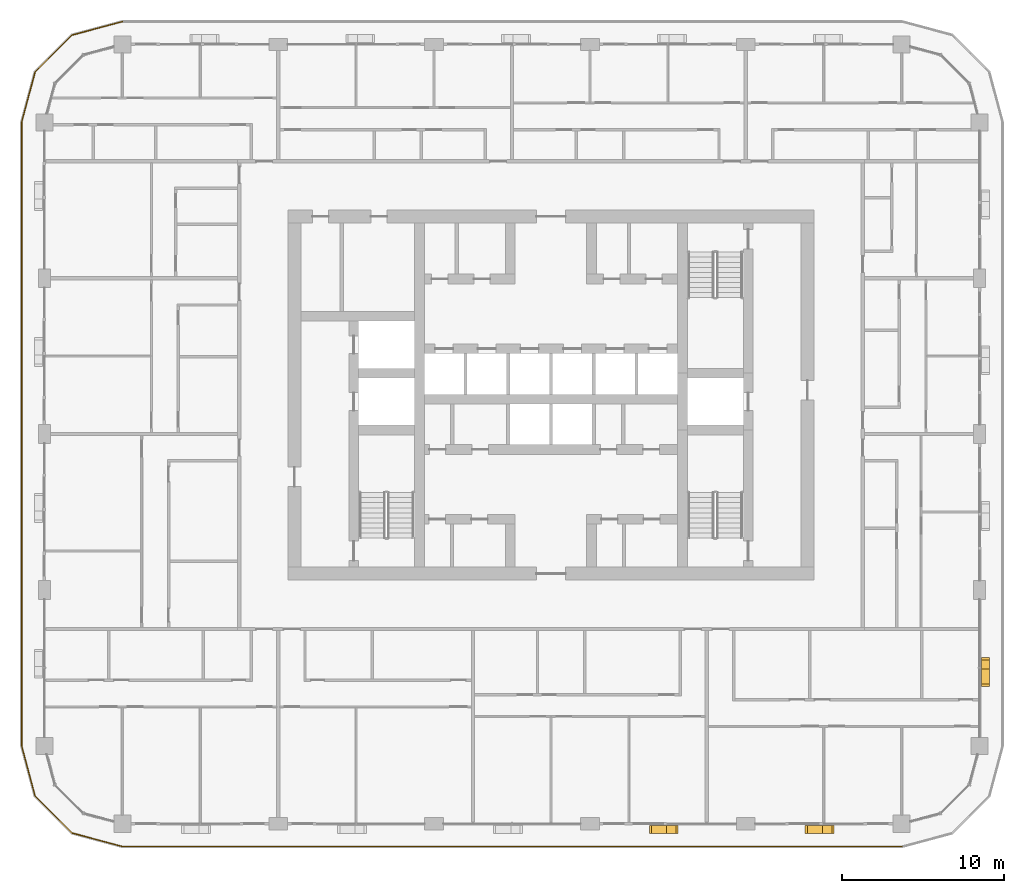
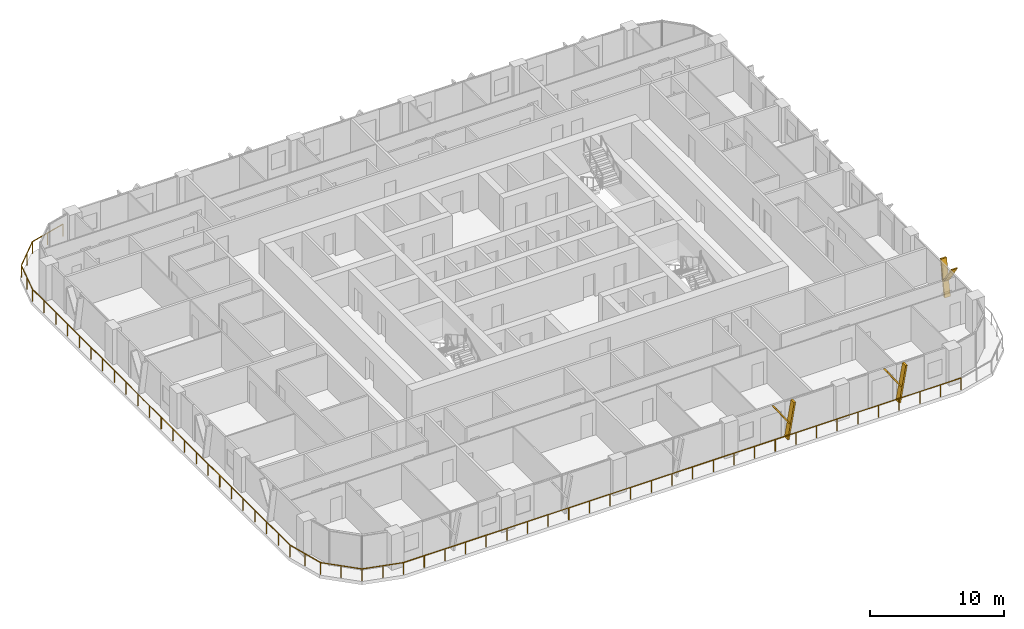
# One storey, part 19 of 22: 6 shading devices, 1 railing.
"""IFC4 building model written with IfcOpenShell, lengths in metres."""

from ifc_helpers import new_model, si_unit, direction, frame, origin, origin_2d, place, context, subcontext, project, spatial, polyline, circle, outline, extrude, material, type_object, element, save


model = new_model("IFC4")

# Units and contexts
model_context = context("Model", 3, precision=1e-05, world=origin(), true_north=direction((0.0, 1.0)))
body_context = subcontext(model_context, "Body", "Model", "MODEL_VIEW")
ifc_project = project(units=[si_unit("LENGTHUNIT", "METRE"), si_unit("AREAUNIT", "SQUARE_METRE"), si_unit("VOLUMEUNIT", "CUBIC_METRE"), si_unit("PLANEANGLEUNIT", "RADIAN"), si_unit("MASSUNIT", "GRAM", prefix="KILO")], contexts=[model_context])

# Site, building, storey
site_placement = place(None, origin())
site = spatial("IfcSite", under=ifc_project, at=site_placement, CompositionType="ELEMENT")
building_placement = place(site_placement, origin())
building = spatial("IfcBuilding", under=site, at=building_placement, Name="Madar Terraces", CompositionType="ELEMENT")
storey_placement = place(building_placement, frame((0.0, 0.0, 156.0)))
storey = spatial("IfcBuildingStorey", under=building, at=storey_placement, Name="L40", CompositionType="ELEMENT", Elevation=156.0)

# Railing
ifc_material_1 = material(Name="Glass, safety glazing, with stainless steel posts", Category="steel")
railing_type = type_object("IfcRailingType", Name="Balcony glass guard 1100", PredefinedType="GUARDRAIL", material=ifc_material_1)
railing_placement = place(storey_placement, frame((4.800048828125, 49.39990234375, 0.0)))
element("IfcRailing", 1, at=railing_placement, inside=storey, type_object=railing_type, Name="Balcony guard", PredefinedType="GUARDRAIL", context=body_context, shape_type="SweptSolid", body=[
    extrude(circle(Radius=0.02392578125, at=origin_2d()), frame((0.0, 0.0, 1.076171875), z_axis=(-0.9659337912, -0.258789317819, 0.0), x_axis=(0.258789317819, -0.9659337912, 0.0)), (0.0, 0.0, 1.0), 3.20947265625),
    extrude(circle(Radius=0.02392578125, at=origin_2d()), frame((-3.10009765625, -0.83056640625, 1.076171875), z_axis=(-0.707106781187, -0.707106781187, 0.0), x_axis=(0.707106781187, -0.707106781187, 0.0)), (0.0, 0.0, 1.0), 3.209228515625),
    extrude(circle(Radius=0.02392578125, at=origin_2d()), frame((-5.369384765625, -3.099853515625, 1.076171875), z_axis=(-0.258789317819, -0.9659337912, 0.0), x_axis=(0.9659337912, -0.258789317819, 0.0)), (0.0, 0.0, 1.0), 3.20947265625),
    extrude(circle(Radius=0.02392578125, at=origin_2d()), frame((-6.199951171875, -6.199951171875, 1.076171875), z_axis=(0.0, -1.0, 0.0), x_axis=(1.0, 0.0, 0.0)), (0.0, 0.0, 1.0), 38.39990234375),
    extrude(circle(Radius=0.02392578125, at=origin_2d()), frame((-6.199951171875, -44.599853515625, 1.076171875), z_axis=(0.258789317819, -0.9659337912, 0.0), x_axis=(0.9659337912, 0.258789317819, 0.0)), (0.0, 0.0, 1.0), 3.20947265625),
    extrude(circle(Radius=0.02392578125, at=origin_2d()), frame((-5.369384765625, -47.699951171875, 1.076171875), z_axis=(0.707106781187, -0.707106781187, 0.0), x_axis=(0.707106781187, 0.707106781187, 0.0)), (0.0, 0.0, 1.0), 3.209228515625),
    extrude(circle(Radius=0.02392578125, at=origin_2d()), frame((-3.10009765625, -49.96923828125, 1.076171875), z_axis=(0.9659337912, -0.258789317819, 0.0), x_axis=(0.258789317819, 0.9659337912, 0.0)), (0.0, 0.0, 1.0), 3.20947265625),
    extrude(circle(Radius=0.02392578125, at=origin_2d()), frame((0.0, -50.7998046875, 1.076171875), z_axis=(1.0, 0.0, 0.0), x_axis=(0.0, 1.0, 0.0)), (0.0, 0.0, 1.0), 48.0),
    extrude(circle(Radius=0.02099609375, at=origin_2d()), origin(), (0.0, 0.0, 1.0), 1.052001953125),
    extrude(circle(Radius=0.02099609375, at=origin_2d()), frame((-1.550048828125, -0.415283203125, 0.0)), (0.0, 0.0, 1.0), 1.052001953125),
    extrude(circle(Radius=0.02099609375, at=origin_2d()), frame((-3.10009765625, -0.83056640625, 0.0)), (0.0, 0.0, 1.0), 1.052001953125),
    extrude(circle(Radius=0.02099609375, at=origin_2d()), frame((-4.23486328125, -1.96533203125, 0.0)), (0.0, 0.0, 1.0), 1.052001953125),
    extrude(circle(Radius=0.02099609375, at=origin_2d()), frame((-5.369384765625, -3.099853515625, 0.0)), (0.0, 0.0, 1.0), 1.052001953125),
    extrude(circle(Radius=0.02099609375, at=origin_2d()), frame((-5.78466796875, -4.64990234375, 0.0)), (0.0, 0.0, 1.0), 1.052001953125),
    extrude(circle(Radius=0.02099609375, at=origin_2d()), frame((-6.199951171875, -6.199951171875, 0.0)), (0.0, 0.0, 1.0), 1.052001953125),
    extrude(circle(Radius=0.02099609375, at=origin_2d()), frame((-6.199951171875, -7.9453125, 0.0)), (0.0, 0.0, 1.0), 1.052001953125),
    extrude(circle(Radius=0.02099609375, at=origin_2d()), frame((-6.199951171875, -9.69091796875, 0.0)), (0.0, 0.0, 1.0), 1.052001953125),
    extrude(circle(Radius=0.02099609375, at=origin_2d()), frame((-6.199951171875, -11.436279296875, 0.0)), (0.0, 0.0, 1.0), 1.052001953125),
    extrude(circle(Radius=0.02099609375, at=origin_2d()), frame((-6.199951171875, -13.181640625, 0.0)), (0.0, 0.0, 1.0), 1.052001953125),
    extrude(circle(Radius=0.02099609375, at=origin_2d()), frame((-6.199951171875, -14.92724609375, 0.0)), (0.0, 0.0, 1.0), 1.052001953125),
    extrude(circle(Radius=0.02099609375, at=origin_2d()), frame((-6.199951171875, -16.672607421875, 0.0)), (0.0, 0.0, 1.0), 1.052001953125),
    extrude(circle(Radius=0.02099609375, at=origin_2d()), frame((-6.199951171875, -18.418212890625, 0.0)), (0.0, 0.0, 1.0), 1.052001953125),
    extrude(circle(Radius=0.02099609375, at=origin_2d()), frame((-6.199951171875, -20.16357421875, 0.0)), (0.0, 0.0, 1.0), 1.052001953125),
    extrude(circle(Radius=0.02099609375, at=origin_2d()), frame((-6.199951171875, -21.908935546875, 0.0)), (0.0, 0.0, 1.0), 1.052001953125),
    extrude(circle(Radius=0.02099609375, at=origin_2d()), frame((-6.199951171875, -23.654541015625, 0.0)), (0.0, 0.0, 1.0), 1.052001953125),
    extrude(circle(Radius=0.02099609375, at=origin_2d()), frame((-6.199951171875, -25.39990234375, 0.0)), (0.0, 0.0, 1.0), 1.052001953125),
    extrude(circle(Radius=0.02099609375, at=origin_2d()), frame((-6.199951171875, -27.145263671875, 0.0)), (0.0, 0.0, 1.0), 1.052001953125),
    extrude(circle(Radius=0.02099609375, at=origin_2d()), frame((-6.199951171875, -28.890869140625, 0.0)), (0.0, 0.0, 1.0), 1.052001953125),
    extrude(circle(Radius=0.02099609375, at=origin_2d()), frame((-6.199951171875, -30.63623046875, 0.0)), (0.0, 0.0, 1.0), 1.052001953125),
    extrude(circle(Radius=0.02099609375, at=origin_2d()), frame((-6.199951171875, -32.381591796875, 0.0)), (0.0, 0.0, 1.0), 1.052001953125),
    extrude(circle(Radius=0.02099609375, at=origin_2d()), frame((-6.199951171875, -34.127197265625, 0.0)), (0.0, 0.0, 1.0), 1.052001953125),
    extrude(circle(Radius=0.02099609375, at=origin_2d()), frame((-6.199951171875, -35.87255859375, 0.0)), (0.0, 0.0, 1.0), 1.052001953125),
    extrude(circle(Radius=0.02099609375, at=origin_2d()), frame((-6.199951171875, -37.6181640625, 0.0)), (0.0, 0.0, 1.0), 1.052001953125),
    extrude(circle(Radius=0.02099609375, at=origin_2d()), frame((-6.199951171875, -39.363525390625, 0.0)), (0.0, 0.0, 1.0), 1.052001953125),
    extrude(circle(Radius=0.02099609375, at=origin_2d()), frame((-6.199951171875, -41.10888671875, 0.0)), (0.0, 0.0, 1.0), 1.052001953125),
    extrude(circle(Radius=0.02099609375, at=origin_2d()), frame((-6.199951171875, -42.8544921875, 0.0)), (0.0, 0.0, 1.0), 1.052001953125),
    extrude(circle(Radius=0.02099609375, at=origin_2d()), frame((-6.199951171875, -44.599853515625, 0.0)), (0.0, 0.0, 1.0), 1.052001953125),
    extrude(circle(Radius=0.02099609375, at=origin_2d()), frame((-5.78466796875, -46.14990234375, 0.0)), (0.0, 0.0, 1.0), 1.052001953125),
    extrude(circle(Radius=0.02099609375, at=origin_2d()), frame((-5.369384765625, -47.699951171875, 0.0)), (0.0, 0.0, 1.0), 1.052001953125),
    extrude(circle(Radius=0.02099609375, at=origin_2d()), frame((-4.23486328125, -48.83447265625, 0.0)), (0.0, 0.0, 1.0), 1.052001953125),
    extrude(circle(Radius=0.02099609375, at=origin_2d()), frame((-3.10009765625, -49.96923828125, 0.0)), (0.0, 0.0, 1.0), 1.052001953125),
    extrude(circle(Radius=0.02099609375, at=origin_2d()), frame((-1.550048828125, -50.384521484375, 0.0)), (0.0, 0.0, 1.0), 1.052001953125),
    extrude(circle(Radius=0.02099609375, at=origin_2d()), frame((0.0, -50.7998046875, 0.0)), (0.0, 0.0, 1.0), 1.052001953125),
    extrude(circle(Radius=0.02099609375, at=origin_2d()), frame((1.77783203125, -50.7998046875, 0.0)), (0.0, 0.0, 1.0), 1.052001953125),
    extrude(circle(Radius=0.02099609375, at=origin_2d()), frame((3.5556640625, -50.7998046875, 0.0)), (0.0, 0.0, 1.0), 1.052001953125),
    extrude(circle(Radius=0.02099609375, at=origin_2d()), frame((5.333251953125, -50.7998046875, 0.0)), (0.0, 0.0, 1.0), 1.052001953125),
    extrude(circle(Radius=0.02099609375, at=origin_2d()), frame((7.111083984375, -50.7998046875, 0.0)), (0.0, 0.0, 1.0), 1.052001953125),
    extrude(circle(Radius=0.02099609375, at=origin_2d()), frame((8.888916015625, -50.7998046875, 0.0)), (0.0, 0.0, 1.0), 1.052001953125),
    extrude(circle(Radius=0.02099609375, at=origin_2d()), frame((10.666748046875, -50.7998046875, 0.0)), (0.0, 0.0, 1.0), 1.052001953125),
    extrude(circle(Radius=0.02099609375, at=origin_2d()), frame((12.4443359375, -50.7998046875, 0.0)), (0.0, 0.0, 1.0), 1.052001953125),
    extrude(circle(Radius=0.02099609375, at=origin_2d()), frame((14.22216796875, -50.7998046875, 0.0)), (0.0, 0.0, 1.0), 1.052001953125),
    extrude(circle(Radius=0.02099609375, at=origin_2d()), frame((16.0, -50.7998046875, 0.0)), (0.0, 0.0, 1.0), 1.052001953125),
    extrude(circle(Radius=0.02099609375, at=origin_2d()), frame((17.77783203125, -50.7998046875, 0.0)), (0.0, 0.0, 1.0), 1.052001953125),
    extrude(circle(Radius=0.02099609375, at=origin_2d()), frame((19.5556640625, -50.7998046875, 0.0)), (0.0, 0.0, 1.0), 1.052001953125),
    extrude(circle(Radius=0.02099609375, at=origin_2d()), frame((21.333251953125, -50.7998046875, 0.0)), (0.0, 0.0, 1.0), 1.052001953125),
    extrude(circle(Radius=0.02099609375, at=origin_2d()), frame((23.111083984375, -50.7998046875, 0.0)), (0.0, 0.0, 1.0), 1.052001953125),
    extrude(circle(Radius=0.02099609375, at=origin_2d()), frame((24.888916015625, -50.7998046875, 0.0)), (0.0, 0.0, 1.0), 1.052001953125),
    extrude(circle(Radius=0.02099609375, at=origin_2d()), frame((26.666748046875, -50.7998046875, 0.0)), (0.0, 0.0, 1.0), 1.052001953125),
    extrude(circle(Radius=0.02099609375, at=origin_2d()), frame((28.4443359375, -50.7998046875, 0.0)), (0.0, 0.0, 1.0), 1.052001953125),
    extrude(circle(Radius=0.02099609375, at=origin_2d()), frame((30.22216796875, -50.7998046875, 0.0)), (0.0, 0.0, 1.0), 1.052001953125),
    extrude(circle(Radius=0.02099609375, at=origin_2d()), frame((32.0, -50.7998046875, 0.0)), (0.0, 0.0, 1.0), 1.052001953125),
    extrude(circle(Radius=0.02099609375, at=origin_2d()), frame((33.77783203125, -50.7998046875, 0.0)), (0.0, 0.0, 1.0), 1.052001953125),
    extrude(circle(Radius=0.02099609375, at=origin_2d()), frame((35.5556640625, -50.7998046875, 0.0)), (0.0, 0.0, 1.0), 1.052001953125),
    extrude(circle(Radius=0.02099609375, at=origin_2d()), frame((37.333251953125, -50.7998046875, 0.0)), (0.0, 0.0, 1.0), 1.052001953125),
    extrude(circle(Radius=0.02099609375, at=origin_2d()), frame((39.111083984375, -50.7998046875, 0.0)), (0.0, 0.0, 1.0), 1.052001953125),
    extrude(circle(Radius=0.02099609375, at=origin_2d()), frame((40.888916015625, -50.7998046875, 0.0)), (0.0, 0.0, 1.0), 1.052001953125),
    extrude(circle(Radius=0.02099609375, at=origin_2d()), frame((42.666748046875, -50.7998046875, 0.0)), (0.0, 0.0, 1.0), 1.052001953125),
    extrude(circle(Radius=0.02099609375, at=origin_2d()), frame((44.4443359375, -50.7998046875, 0.0)), (0.0, 0.0, 1.0), 1.052001953125),
    extrude(circle(Radius=0.02099609375, at=origin_2d()), frame((46.22216796875, -50.7998046875, 0.0)), (0.0, 0.0, 1.0), 1.052001953125),
    extrude(circle(Radius=0.02099609375, at=origin_2d()), frame((48.0, -50.7998046875, 0.0)), (0.0, 0.0, 1.0), 1.052001953125),
])

# Shading devices
ifc_material_2 = material(Name="Aluminium, black anodised", Category="aluminium")
shading_device_type = type_object("IfcShadingDeviceType", Name="Facade fin blade 140 x 500", PredefinedType="USERDEFINED", material=ifc_material_2)
shading_device_1_placement = place(storey_placement, frame((38.330078125, -0.35009765625, 0.0), z_axis=(0.0, 0.0, 1.0), x_axis=(1.0, 0.0, 0.0)))
element("IfcShadingDevice", 2, at=shading_device_1_placement, inside=storey, type_object=shading_device_type, Name="FIN L40 S4", ObjectType="FIN", PredefinedType="USERDEFINED", context=body_context, shape_type="SweptSolid", body=[
    extrude(outline(polyline([(0.0, 0.0), (0.139892578125, 0.0), (0.704345703125, 3.199951171875), (0.564208984375, 3.199951171875), (0.0, 0.0)])), frame((0.0, 0.25, 0.0), z_axis=(0.0, -1.0, 0.0), x_axis=(1.0, 0.0, 0.0)), (0.0, 0.0, 1.0), 0.5),
])
shading_device_2_placement = place(storey_placement, frame((38.44384765625, -0.35009765625, 1.43994140625), z_axis=(0.0, 0.0, 1.0), x_axis=(1.0, 0.0, 0.0)))
element("IfcShadingDevice", 3, at=shading_device_2_placement, inside=storey, type_object=shading_device_type, Name="FIN L40 S4 branch", ObjectType="FIN", PredefinedType="USERDEFINED", context=body_context, shape_type="SweptSolid", body=[
    extrude(outline(polyline([(0.0, 0.0), (0.14013671875, 0.0), (-1.049560546875, 1.760009765625), (-1.189697265625, 1.760009765625), (0.0, 0.0)])), frame((0.0, 0.25, 0.0), z_axis=(0.0, -1.0, 0.0), x_axis=(1.0, 0.0, 0.0)), (0.0, 0.0, 1.0), 0.5),
])
shading_device_3_placement = place(storey_placement, frame((47.929931640625, -0.35009765625, 0.0), z_axis=(0.0, 0.0, 1.0), x_axis=(1.0, 0.0, 0.0)))
element("IfcShadingDevice", 4, at=shading_device_3_placement, inside=storey, type_object=shading_device_type, Name="FIN L40 S5", ObjectType="FIN", PredefinedType="USERDEFINED", context=body_context, shape_type="SweptSolid", body=[
    extrude(outline(polyline([(0.0, 0.0), (0.14013671875, 0.0), (0.704345703125, 3.199951171875), (0.564208984375, 3.199951171875), (0.0, 0.0)])), frame((0.0, 0.25, 0.0), z_axis=(0.0, -1.0, 0.0), x_axis=(1.0, 0.0, 0.0)), (0.0, 0.0, 1.0), 0.5),
])
shading_device_4_placement = place(storey_placement, frame((48.0439453125, -0.35009765625, 1.43994140625), z_axis=(0.0, 0.0, 1.0), x_axis=(1.0, 0.0, 0.0)))
element("IfcShadingDevice", 5, at=shading_device_4_placement, inside=storey, type_object=shading_device_type, Name="FIN L40 S5 branch", ObjectType="FIN", PredefinedType="USERDEFINED", context=body_context, shape_type="SweptSolid", body=[
    extrude(outline(polyline([(0.0, 0.0), (0.139892578125, 0.0), (-1.049560546875, 1.760009765625), (-1.189697265625, 1.760009765625), (0.0, 0.0)])), frame((0.0, 0.25, 0.0), z_axis=(0.0, -1.0, 0.0), x_axis=(1.0, 0.0, 0.0)), (0.0, 0.0, 1.0), 0.5),
])
shading_device_5_placement = place(storey_placement, frame((57.949951171875, 9.530029296875, 0.0), z_axis=(0.0, 0.0, 1.0), x_axis=(0.0, 1.0, 0.0)))
element("IfcShadingDevice", 6, at=shading_device_5_placement, inside=storey, type_object=shading_device_type, Name="FIN L40 E1", ObjectType="FIN", PredefinedType="USERDEFINED", context=body_context, shape_type="SweptSolid", body=[
    extrude(outline(polyline([(0.0, 0.0), (0.139892578125, 0.0), (0.704345703125, 3.199951171875), (0.564208984375, 3.199951171875), (0.0, 0.0)])), frame((0.0, 0.25, 0.0), z_axis=(0.0, -1.0, 0.0), x_axis=(1.0, 0.0, 0.0)), (0.0, 0.0, 1.0), 0.5),
])
shading_device_6_placement = place(storey_placement, frame((57.949951171875, 9.643798828125, 1.43994140625), z_axis=(0.0, 0.0, 1.0), x_axis=(0.0, 1.0, 0.0)))
element("IfcShadingDevice", 7, at=shading_device_6_placement, inside=storey, type_object=shading_device_type, Name="FIN L40 E1 branch", ObjectType="FIN", PredefinedType="USERDEFINED", context=body_context, shape_type="SweptSolid", body=[
    extrude(outline(polyline([(0.0, 0.0), (0.14013671875, 0.0), (-1.049560546875, 1.760009765625), (-1.189697265625, 1.760009765625), (0.0, 0.0)])), frame((0.0, 0.25, 0.0), z_axis=(0.0, -1.0, 0.0), x_axis=(1.0, 0.0, 0.0)), (0.0, 0.0, 1.0), 0.5),
])

save(model, "model.ifc")
